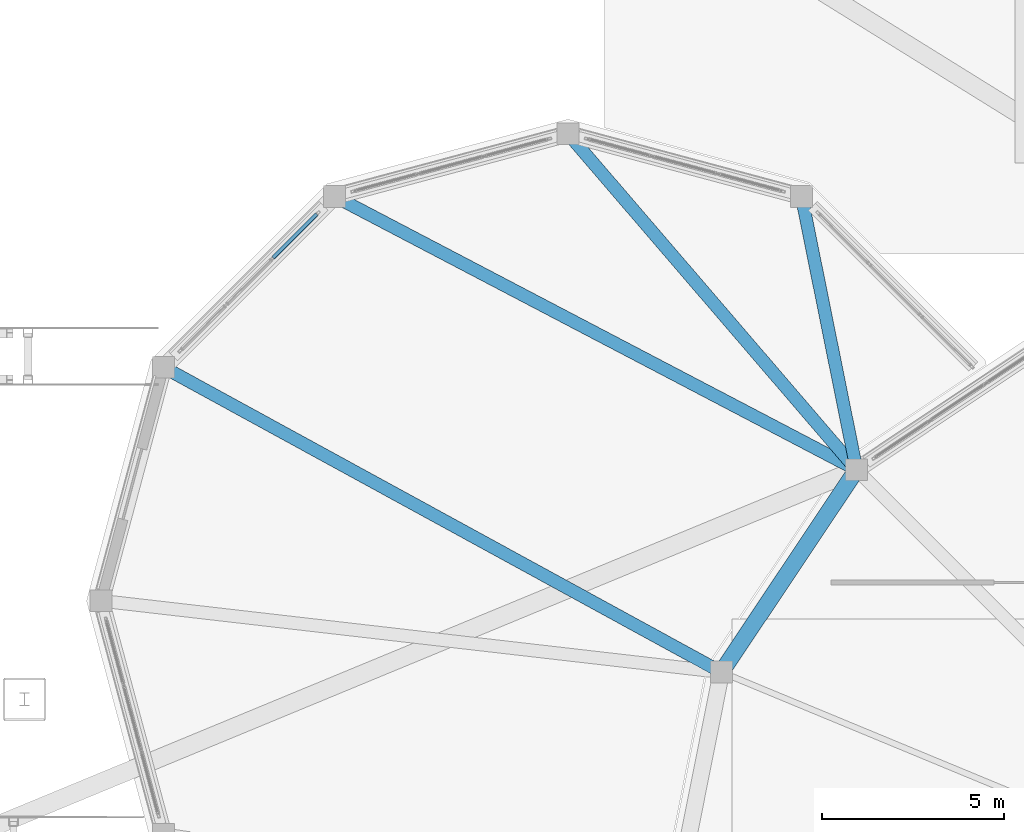
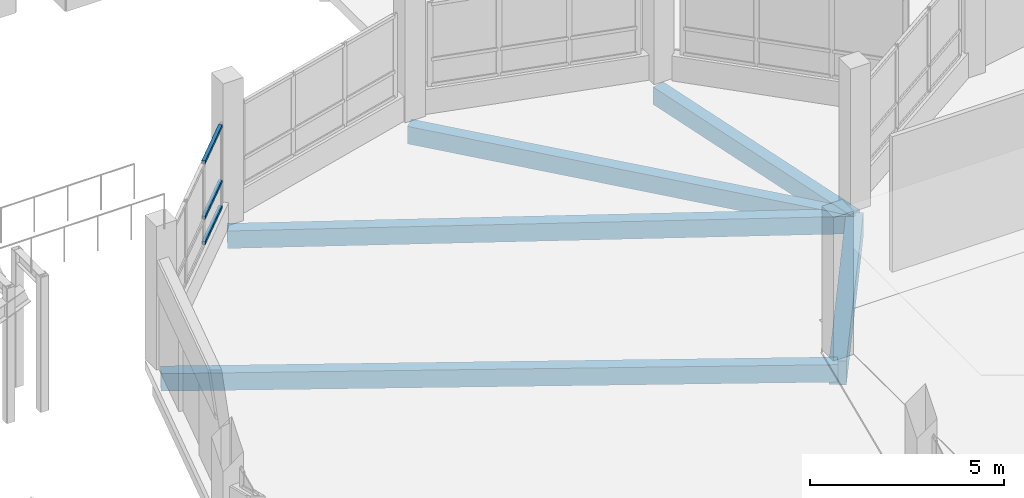
# One storey, part 41 of 129: 5 beams, 3 members, 1 element without a shape of its own.
"""IFC4 building model written with IfcOpenShell, lengths in metres."""

from ifc_helpers import new_model, si_unit, direction, frame, origin, origin_2d, place, context, subcontext, project, spatial, rectangle, hollow_rectangle, extrude, material, layer, layer_set, material_profile, profile_set, type_object, element, aggregate, save


model = new_model("IFC4")

# Units and contexts
model_context = context("Model", 3, precision=1e-05, world=origin(), true_north=direction((0.0, 1.0)))
body_context = subcontext(model_context, "Body", "Model", "MODEL_VIEW")
ifc_project = project(units=[si_unit("LENGTHUNIT", "METRE"), si_unit("AREAUNIT", "SQUARE_METRE"), si_unit("VOLUMEUNIT", "CUBIC_METRE"), si_unit("PLANEANGLEUNIT", "RADIAN"), si_unit("MASSUNIT", "GRAM", prefix="KILO")], contexts=[model_context])

# Site, building, storey
site_placement = place(None, origin())
site = spatial("IfcSite", under=ifc_project, at=site_placement, CompositionType="ELEMENT")
building_placement = place(site_placement, origin())
building = spatial("IfcBuilding", under=site, at=building_placement, Name="Vespera Passage Community Centre", CompositionType="ELEMENT")
storey_placement = place(building_placement, origin())
storey = spatial("IfcBuildingStorey", under=building, at=storey_placement, Name="L00", CompositionType="ELEMENT", Elevation=0.0)

# Beams
ifc_material_1 = material(Name="Concrete f'c 35 MPa", Category="concrete")
ifc_material_profile_1 = material_profile(ifc_material_1, rectangle(XDim=0.35009765625, YDim=0.550048828125, at=origin_2d()), Name="RC350X550")
ifc_profile_set_1 = profile_set([ifc_material_profile_1], Name="Concrete f'c 35 MPa")
beam_type_1 = type_object("IfcBeamType", Name="BM-J-350X550", PredefinedType="JOIST", material=ifc_profile_set_1)
beam_1_placement = place(storey_placement, frame((127.39990234375, 44.585205078125, -0.554931640625), z_axis=(0.197350541523, -0.980332986164, 0.0), x_axis=(0.980332986164, 0.197350541523, 0.0)))
element("IfcBeam", 1, at=beam_1_placement, inside=storey, type_object=beam_type_1, Name="V3A L00 Radial Tie Girder 1", PredefinedType="JOIST", context=body_context, shape_type="SweptSolid", body=[
    extrude(rectangle(XDim=0.35009765625, YDim=0.550048828125, at=origin_2d()), origin(), (0.0, 0.0, 1.0), 7.64404296875),
])
beam_2_placement = place(storey_placement, frame((121.0, 46.300048828125, -0.554931640625), z_axis=(0.651524844095, -0.758627298169, 0.0), x_axis=(0.758627298169, 0.651524844095, 0.0)))
element("IfcBeam", 2, at=beam_2_placement, inside=storey, type_object=beam_type_1, Name="V3A L00 Radial Tie Girder 2", PredefinedType="JOIST", context=body_context, shape_type="SweptSolid", body=[
    extrude(rectangle(XDim=0.35009765625, YDim=0.550048828125, at=origin_2d()), origin(), (0.0, 0.0, 1.0), 12.138427734375),
])
beam_3_placement = place(storey_placement, frame((114.60009765625, 44.585205078125, -0.554931640625), z_axis=(0.885862006017, -0.463948818617, 0.0), x_axis=(0.463948818617, 0.885862006017, 0.0)))
element("IfcBeam", 3, at=beam_3_placement, inside=storey, type_object=beam_type_1, Name="V3A L00 Radial Tie Girder 3", PredefinedType="JOIST", context=body_context, shape_type="SweptSolid", body=[
    extrude(rectangle(XDim=0.35009765625, YDim=0.550048828125, at=origin_2d()), origin(), (0.0, 0.0, 1.0), 16.15185546875),
])
beam_4_placement = place(storey_placement, frame((109.914794921875, 39.89990234375, -0.554931640625), z_axis=(0.877468922379, -0.479633495765, 0.0), x_axis=(0.479633495765, 0.877468922379, 0.0)))
element("IfcBeam", 4, at=beam_4_placement, inside=storey, type_object=beam_type_1, Name="V3A L00 Radial Tie Girder 4", PredefinedType="JOIST", context=body_context, shape_type="SweptSolid", body=[
    extrude(rectangle(XDim=0.35009765625, YDim=0.550048828125, at=origin_2d()), origin(), (0.0, 0.0, 1.0), 17.421630859375),
])
ifc_material_2 = material(Name="Concrete f'c 35 MPa", Category="concrete")
ifc_material_profile_2 = material_profile(ifc_material_2, rectangle(XDim=0.449951171875, YDim=0.75, at=origin_2d()), Name="RC450X750")
ifc_profile_set_2 = profile_set([ifc_material_profile_2], Name="Concrete f'c 35 MPa")
beam_type_2 = type_object("IfcBeamType", Name="BM-SP-450X750E", PredefinedType="SPANDREL", material=ifc_profile_set_2)
beam_5_placement = place(storey_placement, frame((128.908447265625, 37.091552734375, -0.655029296875), z_axis=(-0.55556964639, -0.831470004276, 0.0), x_axis=(0.831470004276, -0.55556964639, 0.0)))
element("IfcBeam", 5, at=beam_5_placement, inside=storey, type_object=beam_type_2, Name="V3 L00 Spandrel 7", PredefinedType="SPANDREL", context=body_context, shape_type="SweptSolid", body=[
    extrude(rectangle(XDim=0.449951171875, YDim=0.75, at=origin_2d()), origin(), (0.0, 0.0, 1.0), 6.672119140625),
])

# Curtain wall, members
ifc_material_3 = material(Name="Anodized aluminium 6063-T6", Category="aluminium")
ifc_layer = layer(ifc_material_3, 0.159912109375)
ifc_layer_set = layer_set([ifc_layer], Name="Anodized aluminium 6063-T6")
curtain_wall_type = type_object("IfcCurtainWallType", Name="CW-113E", PredefinedType="NOTDEFINED", material=ifc_layer_set)
curtain_wall_placement = place(storey_placement, origin())
curtain_wall = element("IfcCurtainWall", 6, at=curtain_wall_placement, inside=storey, type_object=curtain_wall_type, Name="Passage Espresso Cafe Ribbon Curtain Wall 5", PredefinedType="NOTDEFINED")
ifc_material_4 = material(Name="Anodized aluminium 6063-T6", Category="aluminium")
ifc_material_profile_3 = material_profile(ifc_material_4, hollow_rectangle(XDim=0.10009765625, YDim=0.10009765625, WallThickness=0.00390625, InnerFilletRadius=0.001953125, OuterFilletRadius=0.00390625, at=origin_2d()), Name="ALU100X100X4")
ifc_profile_set_3 = profile_set([ifc_material_profile_3], Name="Anodized aluminium 6063-T6")
member_type = type_object("IfcMemberType", Name="MB-CWT-100E", PredefinedType="USERDEFINED", material=ifc_profile_set_3)
member_1_placement = place(storey_placement, frame((112.9140625, 42.899169921875, 0.830078125), z_axis=(0.707106781187, 0.707106781187, 0.0), x_axis=(-0.707106781187, 0.707106781187, 0.0)))
member_1 = element("IfcMember", 7, at=member_1_placement, type_object=member_type, Name="CW-113E transom 3.1", ObjectType="TRANSOM", PredefinedType="USERDEFINED", context=body_context, shape_type="SweptSolid", body=[
    extrude(hollow_rectangle(XDim=0.10009765625, YDim=0.10009765625, WallThickness=0.00390625, InnerFilletRadius=0.001953125, OuterFilletRadius=0.00390625, at=origin_2d()), origin(), (0.0, 0.0, 1.0), 1.69482421875),
])
member_2_placement = place(storey_placement, frame((112.9140625, 42.899169921875, 1.6298828125), z_axis=(0.707106781187, 0.707106781187, 0.0), x_axis=(-0.707106781187, 0.707106781187, 0.0)))
member_2 = element("IfcMember", 8, at=member_2_placement, type_object=member_type, Name="CW-113E transom 3.2", ObjectType="TRANSOM", PredefinedType="USERDEFINED", context=body_context, shape_type="SweptSolid", body=[
    extrude(hollow_rectangle(XDim=0.10009765625, YDim=0.10009765625, WallThickness=0.00390625, InnerFilletRadius=0.001953125, OuterFilletRadius=0.00390625, at=origin_2d()), origin(), (0.0, 0.0, 1.0), 1.69482421875),
])
member_3_placement = place(storey_placement, frame((112.9140625, 42.899169921875, 3.364990234375), z_axis=(0.707106781187, 0.707106781187, 0.0), x_axis=(-0.707106781187, 0.707106781187, 0.0)))
member_3 = element("IfcMember", 9, at=member_3_placement, type_object=member_type, Name="CW-113E transom 3.3", ObjectType="TRANSOM", PredefinedType="USERDEFINED", context=body_context, shape_type="SweptSolid", body=[
    extrude(hollow_rectangle(XDim=0.10009765625, YDim=0.10009765625, WallThickness=0.00390625, InnerFilletRadius=0.001953125, OuterFilletRadius=0.00390625, at=origin_2d()), origin(), (0.0, 0.0, 1.0), 1.69482421875),
])
aggregate(curtain_wall, [member_1, member_2, member_3])

save(model, "model.ifc")
